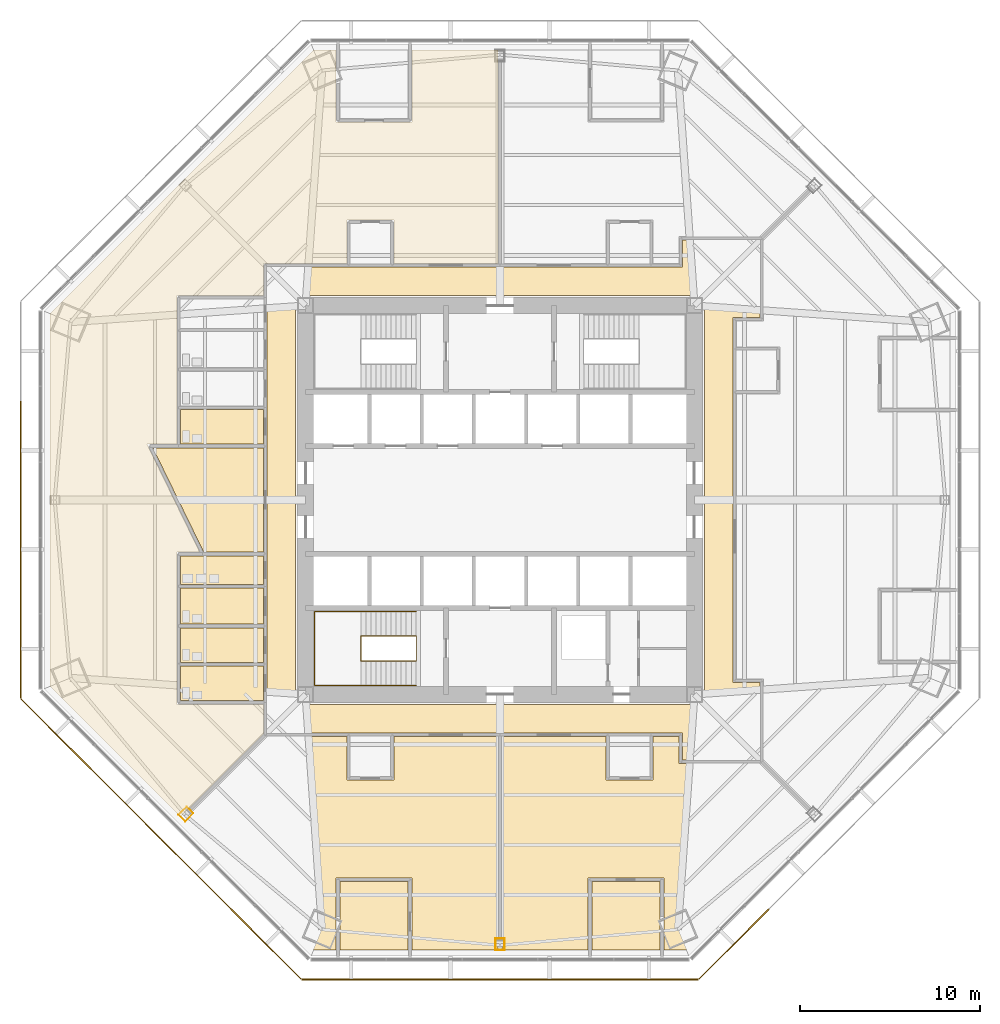
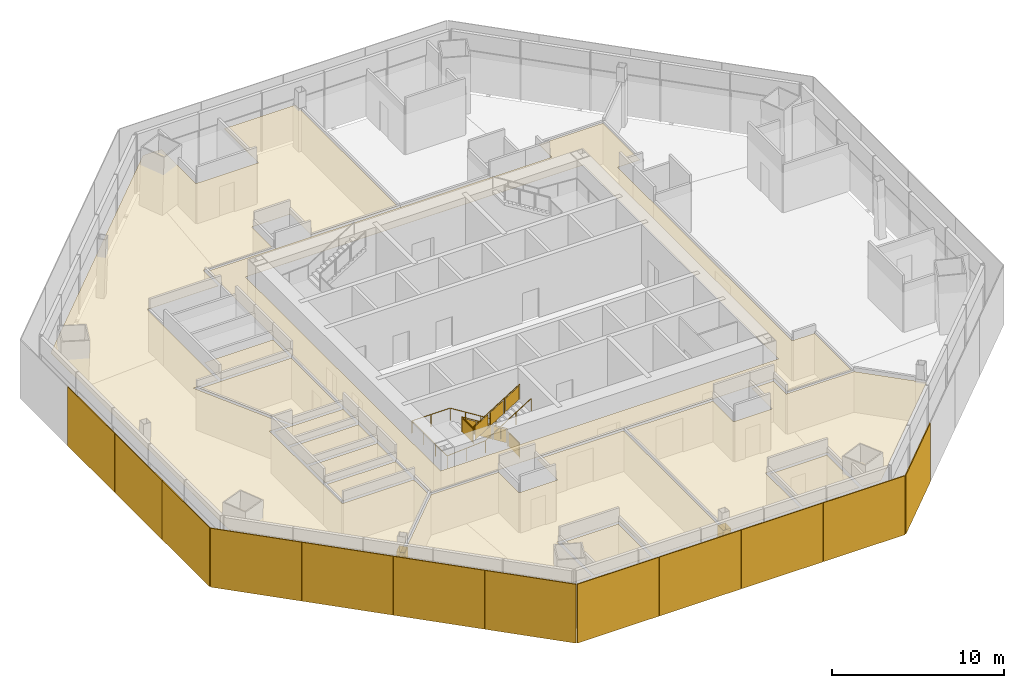
# One storey, part 14 of 17: 14 coverings, 12 shading devices, 2 railings.
"""IFC4 building model written with IfcOpenShell, lengths in metres."""

from ifc_helpers import new_model, si_unit, direction, frame, origin, origin_2d, place, context, subcontext, project, spatial, polyline, rectangle, circle, outline, extrude, source, transform, mapped, material, layer, layer_set, type_object, type_shapes, element, save


model = new_model("IFC4")

# Units and contexts
model_context = context("Model", 3, precision=1e-05, world=origin(), true_north=direction((0.0, 1.0)))
body_context = subcontext(model_context, "Body", "Model", "MODEL_VIEW")
ifc_project = project(units=[si_unit("LENGTHUNIT", "METRE"), si_unit("AREAUNIT", "SQUARE_METRE"), si_unit("VOLUMEUNIT", "CUBIC_METRE"), si_unit("PLANEANGLEUNIT", "RADIAN"), si_unit("MASSUNIT", "GRAM", prefix="KILO")], contexts=[model_context])

# Site, building, storey
site_placement = place(None, origin())
site = spatial("IfcSite", under=ifc_project, at=site_placement, CompositionType="ELEMENT")
building_placement = place(site_placement, origin())
building = spatial("IfcBuilding", under=site, at=building_placement, Name="Mashrafa Tower", CompositionType="ELEMENT")
storey_placement = place(building_placement, frame((0.0, 0.0, 87.60009765625)))
storey = spatial("IfcBuildingStorey", under=building, at=storey_placement, Name="L19", CompositionType="ELEMENT", Elevation=87.60009765625)

# Coverings
ifc_material_1 = material(Name="Gypsum board")
ifc_layer_1 = layer(ifc_material_1, 0.014892578125)
ifc_layer_set_1 = layer_set([ifc_layer_1], Name="Column casing plasterboard 15")
covering_type_1 = type_object("IfcCoveringType", Name="Column casing plasterboard 15", PredefinedType="CLADDING", material=ifc_layer_set_1)
covering_1_placement = place(storey_placement, origin())
element("IfcCovering", 1, at=covering_1_placement, inside=storey, type_object=covering_type_1, Name="Column casing L19-003", PredefinedType="CLADDING", context=body_context, shape_type="SweptSolid", body=[
    extrude(outline(polyline([(-17.8662109375, -17.491455078125), (-17.407470703125, -17.03271484375), (-17.03271484375, -17.407470703125), (-17.491455078125, -17.8662109375), (-17.8662109375, -17.491455078125)]), holes=[polyline([(-17.0537109375, -17.407470703125), (-17.407470703125, -17.0537109375), (-17.84521484375, -17.491455078125), (-17.491455078125, -17.84521484375), (-17.0537109375, -17.407470703125)])]), origin(), (0.0, 0.0, 1.0), 3.17919921875),
])
covering_2_placement = place(storey_placement, origin())
element("IfcCovering", 2, at=covering_2_placement, inside=storey, type_object=covering_type_1, Name="Column casing L19-004", PredefinedType="CLADDING", context=body_context, shape_type="SweptSolid", body=[
    extrude(outline(polyline([(-0.264892578125, -24.352783203125), (0.264892578125, -24.352783203125), (0.264892578125, -25.001708984375), (-0.264892578125, -25.001708984375), (-0.264892578125, -24.352783203125)]), holes=[polyline([(0.25, -24.98681640625), (0.25, -24.36767578125), (-0.25, -24.36767578125), (-0.25, -24.98681640625), (0.25, -24.98681640625)])]), origin(), (0.0, 0.0, 1.0), 3.064697265625),
])

# Railings
ifc_material_2 = material(Name="Steel guard with glass infill", Category="steel")
railing_type_1 = type_object("IfcRailingType", Name="Stair guard 1100", PredefinedType="GUARDRAIL", material=ifc_material_2)
railing_1_placement = place(storey_placement, frame((-4.64990234375, -8.949951171875, 0.0)))
element("IfcRailing", 3, at=railing_1_placement, inside=storey, type_object=railing_type_1, Name="Stair S3 guard L19", PredefinedType="GUARDRAIL", context=body_context, shape_type="SweptSolid", body=[
    extrude(circle(Radius=0.02392578125, at=origin_2d()), frame((0.0, 0.0, 1.076171875), z_axis=(0.0, 1.0, 0.0), x_axis=(-1.0, 0.0, 0.0)), (0.0, 0.0, 1.0), 1.39990234375),
    extrude(circle(Radius=0.02392578125, at=origin_2d()), frame((0.0, 1.39990234375, 1.076171875), z_axis=(0.0, 0.0, 1.0), x_axis=(1.0, 0.0, 0.0)), (0.0, 0.0, 1.0), 0.1748046875),
    extrude(circle(Radius=0.02392578125, at=origin_2d()), frame((0.0, 1.39990234375, 1.2509765625), z_axis=(-0.847998304005, 0.0, 0.529998940003), x_axis=(0.0, -1.0, 0.0)), (0.0, 0.0, 1.0), 3.632080078125),
    extrude(circle(Radius=0.02392578125, at=origin_2d()), frame((-3.080078125, 1.39990234375, 3.17578125), z_axis=(0.0, -1.0, 0.0), x_axis=(1.0, 0.0, 0.0)), (0.0, 0.0, 1.0), 1.39990234375),
    extrude(circle(Radius=0.02392578125, at=origin_2d()), frame((-3.080078125, 0.0, 3.17578125), z_axis=(0.0, 0.0, 1.0), x_axis=(1.0, 0.0, 0.0)), (0.0, 0.0, 1.0), 0.175048828125),
    extrude(circle(Radius=0.02392578125, at=origin_2d()), frame((-3.080078125, 0.0, 3.35107421875), z_axis=(0.847998304005, 0.0, 0.529998940003), x_axis=(0.0, 1.0, 0.0)), (0.0, 0.0, 1.0), 3.632080078125),
    extrude(circle(Radius=0.02099609375, at=origin_2d()), origin(), (0.0, 0.0, 1.0), 1.052001953125),
    extrude(circle(Radius=0.02099609375, at=origin_2d()), frame((0.0, 1.39990234375, 0.0)), (0.0, 0.0, 1.0), 1.052001953125),
    extrude(circle(Radius=0.02099609375, at=origin_2d()), frame((0.0, 1.39990234375, 0.1748046875)), (0.0, 0.0, 1.0), 1.052001953125),
    extrude(circle(Radius=0.02099609375, at=origin_2d()), frame((-1.026611328125, 1.39990234375, 0.81640625)), (0.0, 0.0, 1.0), 1.052001953125),
    extrude(circle(Radius=0.02099609375, at=origin_2d()), frame((-2.053466796875, 1.39990234375, 1.458251953125)), (0.0, 0.0, 1.0), 1.052001953125),
    extrude(circle(Radius=0.02099609375, at=origin_2d()), frame((-3.080078125, 1.39990234375, 2.099853515625)), (0.0, 0.0, 1.0), 1.052001953125),
    extrude(circle(Radius=0.02099609375, at=origin_2d()), frame((-3.080078125, 0.0, 2.099853515625)), (0.0, 0.0, 1.0), 1.052001953125),
    extrude(circle(Radius=0.02099609375, at=origin_2d()), frame((-3.080078125, 0.0, 2.27490234375)), (0.0, 0.0, 1.0), 1.052001953125),
    extrude(circle(Radius=0.02099609375, at=origin_2d()), frame((-2.053466796875, 0.0, 2.91650390625)), (0.0, 0.0, 1.0), 1.052001953125),
    extrude(circle(Radius=0.02099609375, at=origin_2d()), frame((-1.026611328125, 0.0, 3.558349609375)), (0.0, 0.0, 1.0), 1.052001953125),
    extrude(circle(Radius=0.02099609375, at=origin_2d()), frame((0.0, 0.0, 4.199951171875)), (0.0, 0.0, 1.0), 1.052001953125),
    extrude(outline(polyline([(0.071044921875, 0.050048828125), (1.328857421875, 0.050048828125), (1.328857421875, 1.001953125), (0.071044921875, 1.001953125), (0.071044921875, 0.050048828125)])), frame((0.006103515625, 0.0, 0.0), z_axis=(1.0, 0.0, 0.0), x_axis=(0.0, 1.0, 0.0)), (0.0, 0.0, 1.0), 0.011962890625),
    extrude(outline(polyline([(0.071044921875, 0.094482421875), (0.955810546875, 0.647216796875), (0.955810546875, 1.599365234375), (0.071044921875, 1.04638671875), (0.071044921875, 0.094482421875)])), frame((0.0, 1.406005859375, 0.1748046875), z_axis=(0.0, 1.0, 0.0), x_axis=(-1.0, 0.0, 0.0)), (0.0, 0.0, 1.0), 0.011962890625),
    extrude(outline(polyline([(1.09765625, 0.736083984375), (1.982421875, 1.2890625), (1.982421875, 2.240966796875), (1.09765625, 1.68798828125), (1.09765625, 0.736083984375)])), frame((0.0, 1.406005859375, 0.1748046875), z_axis=(0.0, 1.0, 0.0), x_axis=(-1.0, 0.0, 0.0)), (0.0, 0.0, 1.0), 0.011962890625),
    extrude(outline(polyline([(2.124267578125, 1.377685546875), (3.009033203125, 1.9306640625), (3.009033203125, 2.882568359375), (2.124267578125, 2.329833984375), (2.124267578125, 1.377685546875)])), frame((0.0, 1.406005859375, 0.1748046875), z_axis=(0.0, 1.0, 0.0), x_axis=(-1.0, 0.0, 0.0)), (0.0, 0.0, 1.0), 0.011962890625),
    extrude(outline(polyline([(0.071044921875, 0.050048828125), (1.328857421875, 0.050048828125), (1.328857421875, 1.001953125), (0.071044921875, 1.001953125), (0.071044921875, 0.050048828125)])), frame((-3.086181640625, 1.39990234375, 2.099853515625), z_axis=(-1.0, 0.0, 0.0), x_axis=(0.0, -1.0, 0.0)), (0.0, 0.0, 1.0), 0.011962890625),
    extrude(outline(polyline([(0.071044921875, 0.094482421875), (0.955810546875, 0.647216796875), (0.955810546875, 1.599365234375), (0.071044921875, 1.04638671875), (0.071044921875, 0.094482421875)])), frame((-3.080078125, -0.006103515625, 2.27490234375), z_axis=(0.0, -1.0, 0.0), x_axis=(1.0, 0.0, 0.0)), (0.0, 0.0, 1.0), 0.011962890625),
    extrude(outline(polyline([(1.09765625, 0.736083984375), (1.982421875, 1.2890625), (1.982421875, 2.240966796875), (1.09765625, 1.68798828125), (1.09765625, 0.736083984375)])), frame((-3.080078125, -0.006103515625, 2.27490234375), z_axis=(0.0, -1.0, 0.0), x_axis=(1.0, 0.0, 0.0)), (0.0, 0.0, 1.0), 0.011962890625),
    extrude(outline(polyline([(2.124267578125, 1.377685546875), (3.009033203125, 1.9306640625), (3.009033203125, 2.882568359375), (2.124267578125, 2.329833984375), (2.124267578125, 1.377685546875)])), frame((-3.080078125, -0.006103515625, 2.27490234375), z_axis=(0.0, -1.0, 0.0), x_axis=(1.0, 0.0, 0.0)), (0.0, 0.0, 1.0), 0.011962890625),
])
ifc_material_3 = material(Name="Steel", Category="steel")
railing_type_2 = type_object("IfcRailingType", Name="Stair handrail 900", PredefinedType="HANDRAIL", material=ifc_material_3)
railing_2_placement = place(storey_placement, frame((-4.64990234375, -6.199951171875, 0.1748046875)))
element("IfcRailing", 4, at=railing_2_placement, inside=storey, type_object=railing_type_2, Name="Stair S3 handrail L19", PredefinedType="HANDRAIL", context=body_context, shape_type="SweptSolid", body=[
    extrude(circle(Radius=0.02392578125, at=origin_2d()), frame((0.0, 0.0, 0.8759765625), z_axis=(-0.847998304005, 0.0, 0.529998940003), x_axis=(0.0, -1.0, 0.0)), (0.0, 0.0, 1.0), 3.632080078125),
    extrude(circle(Radius=0.02392578125, at=origin_2d()), frame((-3.080078125, 0.0, 2.80078125), z_axis=(-1.0, 0.0, 0.0), x_axis=(0.0, -1.0, 0.0)), (0.0, 0.0, 1.0), 2.570068359375),
    extrude(circle(Radius=0.02392578125, at=origin_2d()), frame((-5.650146484375, 0.0, 2.80078125), z_axis=(0.0, -1.0, 0.0), x_axis=(1.0, 0.0, 0.0)), (0.0, 0.0, 1.0), 4.10009765625),
    extrude(circle(Radius=0.02392578125, at=origin_2d()), frame((-5.650146484375, -4.10009765625, 2.80078125), z_axis=(0.997688514158, 0.0, 0.067953136188), x_axis=(0.0, 1.0, 0.0)), (0.0, 0.0, 1.0), 2.575927734375),
    extrude(circle(Radius=0.02392578125, at=origin_2d()), frame((-3.080078125, -4.10009765625, 2.97607421875), z_axis=(0.847998304005, 0.0, 0.529998940003), x_axis=(0.0, 1.0, 0.0)), (0.0, 0.0, 1.0), 3.632080078125),
    extrude(circle(Radius=0.02099609375, at=origin_2d()), origin(), (0.0, 0.0, 1.0), 0.851806640625),
    extrude(circle(Radius=0.02099609375, at=origin_2d()), frame((-1.026611328125, 0.0, 0.6416015625)), (0.0, 0.0, 1.0), 0.851806640625),
    extrude(circle(Radius=0.02099609375, at=origin_2d()), frame((-2.053466796875, 0.0, 1.283447265625)), (0.0, 0.0, 1.0), 0.851806640625),
    extrude(circle(Radius=0.02099609375, at=origin_2d()), frame((-3.080078125, 0.0, 1.925048828125)), (0.0, 0.0, 1.0), 0.851806640625),
    extrude(circle(Radius=0.02099609375, at=origin_2d()), frame((-4.365234375, 0.0, 1.925048828125)), (0.0, 0.0, 1.0), 0.851806640625),
    extrude(circle(Radius=0.02099609375, at=origin_2d()), frame((-5.650146484375, 0.0, 1.925048828125)), (0.0, 0.0, 1.0), 0.851806640625),
    extrude(circle(Radius=0.02099609375, at=origin_2d()), frame((-5.650146484375, -1.36669921875, 1.925048828125)), (0.0, 0.0, 1.0), 0.851806640625),
    extrude(circle(Radius=0.02099609375, at=origin_2d()), frame((-5.650146484375, -2.7333984375, 1.925048828125)), (0.0, 0.0, 1.0), 0.851806640625),
    extrude(circle(Radius=0.02099609375, at=origin_2d()), frame((-5.650146484375, -4.10009765625, 1.925048828125)), (0.0, 0.0, 1.0), 0.851806640625),
    extrude(circle(Radius=0.02099609375, at=origin_2d()), frame((-4.365234375, -4.10009765625, 2.0126953125)), (0.0, 0.0, 1.0), 0.851806640625),
    extrude(circle(Radius=0.02099609375, at=origin_2d()), frame((-3.080078125, -4.10009765625, 2.10009765625)), (0.0, 0.0, 1.0), 0.851806640625),
    extrude(circle(Radius=0.02099609375, at=origin_2d()), frame((-2.053466796875, -4.10009765625, 2.74169921875)), (0.0, 0.0, 1.0), 0.851806640625),
    extrude(circle(Radius=0.02099609375, at=origin_2d()), frame((-1.026611328125, -4.10009765625, 3.383544921875)), (0.0, 0.0, 1.0), 0.851806640625),
    extrude(circle(Radius=0.02099609375, at=origin_2d()), frame((0.0, -4.10009765625, 4.025146484375)), (0.0, 0.0, 1.0), 0.851806640625),
])

# Coverings
ifc_material_4 = material(Name="Mineral fibre tile on suspension grid")
ifc_layer_2 = layer(ifc_material_4, 0.014892578125)
ifc_layer_set_2 = layer_set([ifc_layer_2], Name="Suspended ceiling mineral tile 15")
covering_type_2 = type_object("IfcCoveringType", Name="Suspended ceiling mineral tile 15", PredefinedType="CEILING", material=ifc_layer_set_2)
covering_3_placement = place(storey_placement, frame((0.0, 0.0, 2.89990234375)))
element("IfcCovering", 5, at=covering_3_placement, inside=storey, type_object=covering_type_2, Name="Ceiling Office Corridor L19", PredefinedType="CEILING", context=body_context, shape_type="SweptSolid", body=[
    extrude(outline(polyline([(14.449951171875, -10.14990234375), (14.449951171875, -14.449951171875), (10.14990234375, -14.449951171875), (10.14990234375, -12.949951171875), (-12.949951171875, -12.949951171875), (-12.949951171875, 12.949951171875), (10.14990234375, 12.949951171875), (10.14990234375, 14.449951171875), (14.449951171875, 14.449951171875), (14.449951171875, 10.14990234375), (12.949951171875, 10.14990234375), (12.949951171875, -10.14990234375), (14.449951171875, -10.14990234375)]), holes=[polyline([(11.35009765625, 11.35009765625), (-11.35009765625, 11.35009765625), (-11.35009765625, -11.35009765625), (11.35009765625, -11.35009765625), (11.35009765625, 11.35009765625)])]), origin(), (0.0, 0.0, 1.0), 0.014892578125),
])
covering_4_placement = place(storey_placement, frame((0.0, 0.0, 2.89990234375)))
element("IfcCovering", 6, at=covering_4_placement, inside=storey, type_object=covering_type_2, Name="Ceiling WC Female L19 N", PredefinedType="CEILING", context=body_context, shape_type="SweptSolid", body=[
    extrude(outline(polyline([(-17.75, 3.10009765625), (-17.75, 5.02490234375), (-13.14990234375, 5.02490234375), (-13.14990234375, 3.10009765625), (-17.75, 3.10009765625)])), origin(), (0.0, 0.0, 1.0), 0.014892578125),
])
covering_5_placement = place(storey_placement, frame((0.0, 0.0, 2.89990234375)))
element("IfcCovering", 7, at=covering_5_placement, inside=storey, type_object=covering_type_2, Name="Ceiling WC Female L19 S", PredefinedType="CEILING", context=body_context, shape_type="SweptSolid", body=[
    extrude(outline(polyline([(-17.75, -11.14990234375), (-17.75, -9.22509765625), (-13.14990234375, -9.22509765625), (-13.14990234375, -11.14990234375), (-17.75, -11.14990234375)])), origin(), (0.0, 0.0, 1.0), 0.014892578125),
])
covering_6_placement = place(storey_placement, frame((0.0, 0.0, 2.89990234375)))
element("IfcCovering", 8, at=covering_6_placement, inside=storey, type_object=covering_type_2, Name="Ceiling WC Male L19 S", PredefinedType="CEILING", context=body_context, shape_type="SweptSolid", body=[
    extrude(outline(polyline([(-17.75, -9.02490234375), (-17.75, -7.10009765625), (-13.14990234375, -7.10009765625), (-13.14990234375, -9.02490234375), (-17.75, -9.02490234375)])), origin(), (0.0, 0.0, 1.0), 0.014892578125),
])
covering_7_placement = place(storey_placement, frame((0.0, 0.0, 2.89990234375)))
element("IfcCovering", 9, at=covering_7_placement, inside=storey, type_object=covering_type_2, Name="Ceiling Accessible WC L19 S", PredefinedType="CEILING", context=body_context, shape_type="SweptSolid", body=[
    extrude(outline(polyline([(-17.75, -6.89990234375), (-17.75, -4.89990234375), (-13.14990234375, -4.89990234375), (-13.14990234375, -6.89990234375), (-17.75, -6.89990234375)])), origin(), (0.0, 0.0, 1.0), 0.014892578125),
])
covering_8_placement = place(storey_placement, frame((0.0, 0.0, 2.89990234375)))
element("IfcCovering", 10, at=covering_8_placement, inside=storey, type_object=covering_type_2, Name="Ceiling Ablution Room L19 S", PredefinedType="CEILING", context=body_context, shape_type="SweptSolid", body=[
    extrude(outline(polyline([(-17.75, -4.699951171875), (-17.75, -3.10009765625), (-13.14990234375, -3.10009765625), (-13.14990234375, -4.699951171875), (-17.75, -4.699951171875)])), origin(), (0.0, 0.0, 1.0), 0.014892578125),
])
covering_9_placement = place(storey_placement, frame((0.0, 0.0, 2.89990234375)))
element("IfcCovering", 11, at=covering_9_placement, inside=storey, type_object=covering_type_2, Name="Ceiling Musallah Prayer Room 19", PredefinedType="CEILING", context=body_context, shape_type="SweptSolid", body=[
    extrude(outline(polyline([(-16.461181640625, -2.89990234375), (-19.2900390625, 2.89990234375), (-13.14990234375, 2.89990234375), (-13.14990234375, -2.89990234375), (-16.461181640625, -2.89990234375)])), origin(), (0.0, 0.0, 1.0), 0.014892578125),
])
covering_10_placement = place(storey_placement, frame((0.0, 0.0, 2.89990234375)))
element("IfcCovering", 12, at=covering_10_placement, inside=storey, type_object=covering_type_2, Name="Ceiling Manager's Office 19-SE", PredefinedType="CEILING", context=body_context, shape_type="SweptSolid", body=[
    extrude(outline(polyline([(5.10009765625, -21.1865234375), (8.89990234375, -21.1865234375), (8.89990234375, -24.986572265625), (5.10009765625, -24.986572265625), (5.10009765625, -21.1865234375)])), origin(), (0.0, 0.0, 1.0), 0.014892578125),
])
covering_11_placement = place(storey_placement, frame((0.0, 0.0, 2.89990234375)))
element("IfcCovering", 13, at=covering_11_placement, inside=storey, type_object=covering_type_2, Name="Ceiling Manager's Office 19-SW", PredefinedType="CEILING", context=body_context, shape_type="SweptSolid", body=[
    extrude(outline(polyline([(-8.89990234375, -21.1865234375), (-5.10009765625, -21.1865234375), (-5.10009765625, -24.986572265625), (-8.89990234375, -24.986572265625), (-8.89990234375, -21.1865234375)])), origin(), (0.0, 0.0, 1.0), 0.014892578125),
])
covering_12_placement = place(storey_placement, frame((0.0, 0.0, 2.89990234375)))
element("IfcCovering", 14, at=covering_12_placement, inside=storey, type_object=covering_type_2, Name="Ceiling Office Suite 19-NW", PredefinedType="CEILING", context=body_context, shape_type="SweptSolid", body=[
    extrude(outline(polyline([(-13.14990234375, -13.008544921875), (-17.739013671875, -17.597412109375), (-24.986572265625, -10.349853515625), (-24.986572265625, 10.349853515625), (-10.349853515625, 24.986572265625), (-9.10009765625, 24.986572265625), (-9.10009765625, 20.986572265625), (-4.89990234375, 20.986572265625), (-4.89990234375, 24.986572265625), (-0.10009765625, 24.986572265625), (-0.10009765625, 13.14990234375), (-5.89990234375, 13.14990234375), (-5.89990234375, 15.550048828125), (-8.5, 15.550048828125), (-8.5, 13.14990234375), (-13.14990234375, 13.14990234375), (-13.14990234375, 11.35009765625), (-17.949951171875, 11.35009765625), (-17.949951171875, 3.10009765625), (-19.610107421875, 3.10009765625), (-16.68359375, -2.89990234375), (-17.949951171875, -2.89990234375), (-17.949951171875, -11.35009765625), (-13.14990234375, -11.35009765625), (-13.14990234375, -13.008544921875)])), origin(), (0.0, 0.0, 1.0), 0.014892578125),
])
covering_13_placement = place(storey_placement, frame((0.0, 0.0, 2.89990234375)))
element("IfcCovering", 15, at=covering_13_placement, inside=storey, type_object=covering_type_2, Name="Ceiling Office Suite 19-SE", PredefinedType="CEILING", context=body_context, shape_type="SweptSolid", body=[
    extrude(outline(polyline([(14.508544921875, -14.64990234375), (17.597412109375, -17.739013671875), (10.349853515625, -24.986572265625), (9.10009765625, -24.986572265625), (9.10009765625, -20.986572265625), (4.89990234375, -20.986572265625), (4.89990234375, -24.986572265625), (0.10009765625, -24.986572265625), (0.10009765625, -13.14990234375), (5.89990234375, -13.14990234375), (5.89990234375, -15.550048828125), (8.5, -15.550048828125), (8.5, -13.14990234375), (9.949951171875, -13.14990234375), (9.949951171875, -14.64990234375), (14.508544921875, -14.64990234375)])), origin(), (0.0, 0.0, 1.0), 0.014892578125),
])
covering_14_placement = place(storey_placement, frame((0.0, 0.0, 2.89990234375)))
element("IfcCovering", 16, at=covering_14_placement, inside=storey, type_object=covering_type_2, Name="Ceiling Office Suite 19-SW", PredefinedType="CEILING", context=body_context, shape_type="SweptSolid", body=[
    extrude(outline(polyline([(-0.10009765625, -24.986572265625), (-4.89990234375, -24.986572265625), (-4.89990234375, -20.986572265625), (-9.10009765625, -20.986572265625), (-9.10009765625, -24.986572265625), (-10.349853515625, -24.986572265625), (-17.597412109375, -17.739013671875), (-13.008544921875, -13.14990234375), (-8.5, -13.14990234375), (-8.5, -15.550048828125), (-5.89990234375, -15.550048828125), (-5.89990234375, -13.14990234375), (-0.10009765625, -13.14990234375), (-0.10009765625, -24.986572265625)])), origin(), (0.0, 0.0, 1.0), 0.014892578125),
])

# Shading devices
ifc_material_5 = material(Name="Perforated aluminium plate, eight-point star pattern", Category="aluminium")
ifc_layer_3 = layer(ifc_material_5, 0.06005859375)
ifc_layer_set_3 = layer_set([ifc_layer_3], Name="Mashrabiya screen panel office zone 1, 45 percent open")
shading_device_type = type_object("IfcShadingDeviceType", Name="Mashrabiya screen panel office zone 1, 45 percent open", PredefinedType="SHUTTER", material=ifc_layer_set_3)
shared_shape = source(origin(), body_context, "Body", "SweptSolid", [
    extrude(rectangle(XDim=5.4853515625, YDim=0.06005859375, at=origin_2d()), origin(), (0.0, 0.0, 1.0), 4.179931640625),
])
type_shapes(shading_device_type, [shared_shape])
for number, where, z_axis, x_axis, name in (
    (17, (-26.63671875, 2.752685546875, -0.14990234375), (0.0, 0.0, 1.0), (0.0, -1.0, 0.0), "Mashrabiya screen L19 west 2"),
    (18, (-26.63671875, -2.752685546875, -0.14990234375), (0.0, 0.0, 1.0), (0.0, -1.0, 0.0), "Mashrabiya screen L19 west 3"),
    (19, (-26.63671875, -8.258056640625, -0.14990234375), (0.0, 0.0, 1.0), (0.0, -1.0, 0.0), "Mashrabiya screen L19 west 4"),
    (20, (-24.67431640625, -12.99560546875, -0.14990234375), (0.0, 0.0, 1.0), (0.707106781187, -0.707106781187, 0.0), "Mashrabiya screen L19 south-west 1"),
    (21, (-20.781494140625, -16.888427734375, -0.14990234375), (0.0, 0.0, 1.0), (0.707106781187, -0.707106781187, 0.0), "Mashrabiya screen L19 south-west 2"),
    (22, (-16.888427734375, -20.781494140625, -0.14990234375), (0.0, 0.0, 1.0), (0.707106781187, -0.707106781187, 0.0), "Mashrabiya screen L19 south-west 3"),
    (23, (-12.99560546875, -24.67431640625, -0.14990234375), (0.0, 0.0, 1.0), (0.707106781187, -0.707106781187, 0.0), "Mashrabiya screen L19 south-west 4"),
    (24, (-8.258056640625, -26.63671875, -0.14990234375), (0.0, 0.0, 1.0), (1.0, 0.0, 0.0), "Mashrabiya screen L19 south 1"),
    (25, (-2.752685546875, -26.63671875, -0.14990234375), (0.0, 0.0, 1.0), (1.0, 0.0, 0.0), "Mashrabiya screen L19 south 2"),
    (26, (2.752685546875, -26.63671875, -0.14990234375), (0.0, 0.0, 1.0), (1.0, 0.0, 0.0), "Mashrabiya screen L19 south 3"),
    (27, (8.258056640625, -26.63671875, -0.14990234375), (0.0, 0.0, 1.0), (1.0, 0.0, 0.0), "Mashrabiya screen L19 south 4"),
    (28, (12.99560546875, -24.67431640625, -0.14990234375), (0.0, 0.0, 1.0), (0.707106781187, 0.707106781187, 0.0), "Mashrabiya screen L19 south-east 1"),
):
    element("IfcShadingDevice", number, at=place(storey_placement, frame(where, z_axis=z_axis, x_axis=x_axis)), inside=storey, type_object=shading_device_type, Name=name, PredefinedType="SHUTTER", context=body_context, shape_type="MappedRepresentation", body=[
        mapped(shared_shape, transform((0.0, 0.0, 0.0))),
    ])

save(model, "model.ifc")
